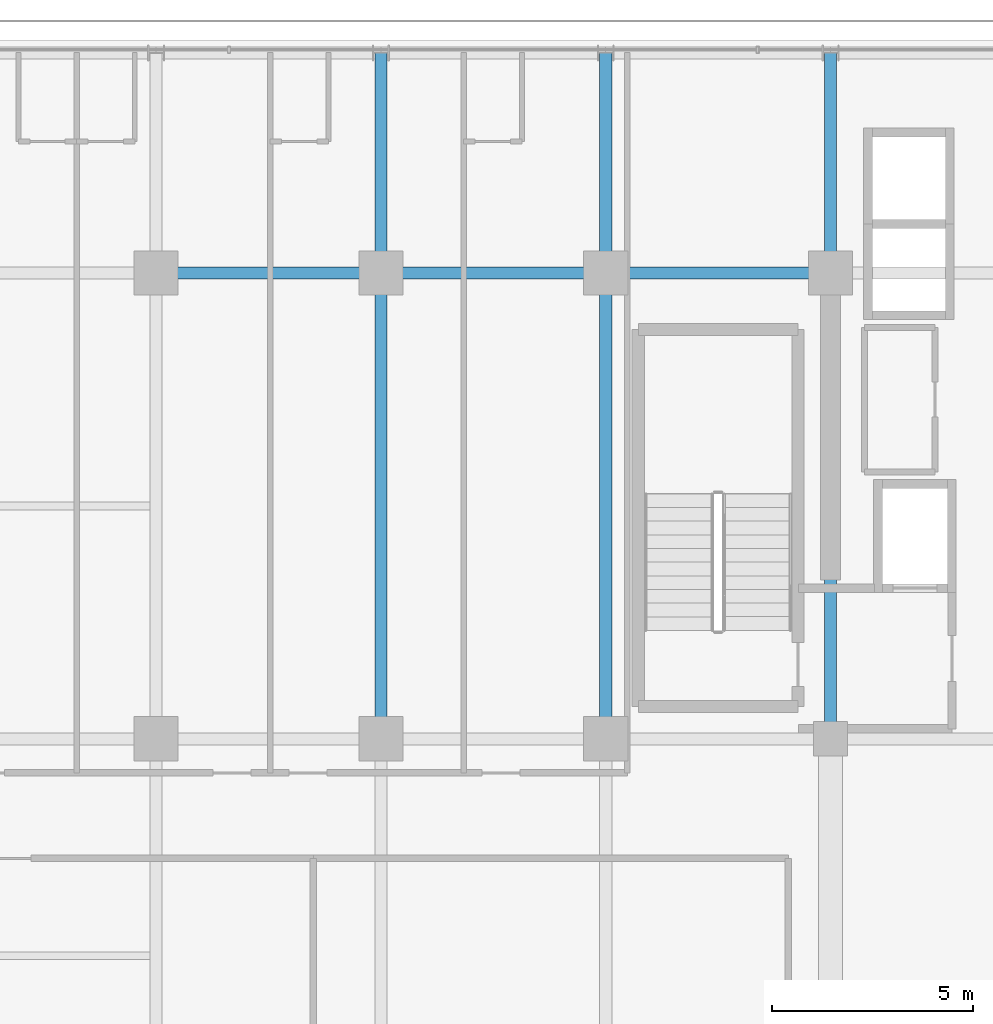
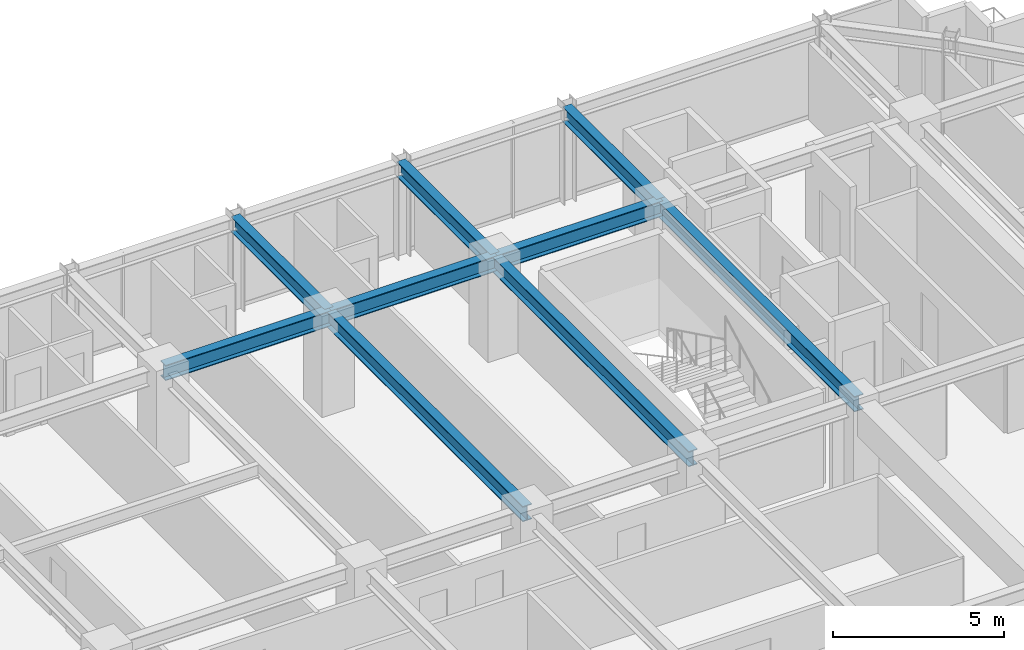
# One storey, part 16 of 33: 9 beams.
"""IFC4 building model written with IfcOpenShell, lengths in metres."""

import ifcopenshell
import ifcopenshell.guid

model = None  # the IFC model being written
_history = None  # IfcOwnerHistory: only IFC2X3 demands one
_inside = {}  # id of a spatial element -> (the spatial element, [elements in it])
_under = {}  # id of a project, library or spatial element -> (it, [spatial elements below it])
_declared = {}  # id of a project -> (the project, [libraries it declares])
_typed = {}  # id of a type object -> (the type object, [elements of that type])
_made_of = {}  # id of a material, layer set ... -> (it, [elements and type objects made of it])


def new_model(schema):
    """Start an empty IFC model of exactly this schema.

    Asked for "IFC4X3", IfcOpenShell would pick the latest addendum, in which some entities
    have other attributes; the version numbers below select the first issue.
    IFC2X3 requires an IfcOwnerHistory on every rooted entity: one is made here for all.
    """
    global model, _history
    if schema == "IFC4X3":
        model = ifcopenshell.file(schema_version=(4, 3, 0, 0))
    else:
        model = ifcopenshell.file(schema=schema)
    _inside.clear()
    _under.clear()
    _declared.clear()
    _typed.clear()
    _made_of.clear()
    _history = None
    if model.schema == "IFC2X3":
        org = make("IfcOrganization", Name="unknown")
        user = make(
            "IfcPersonAndOrganization",
            ThePerson=make("IfcPerson", FamilyName="unknown"),
            TheOrganization=org,
        )
        app = make(
            "IfcApplication",
            ApplicationDeveloper=org,
            Version="unknown",
            ApplicationFullName="unknown",
            ApplicationIdentifier="unknown",
        )
        _history = make(
            "IfcOwnerHistory",
            OwningUser=user,
            OwningApplication=app,
            ChangeAction="ADDED",
            CreationDate=0,
        )
    return model


def make(cls, **values):
    """One entity of the class cls with the attributes given. An attribute that is None is left unset."""
    return model.create_entity(
        cls, **{name: value for name, value in values.items() if value is not None}
    )


def rooted(cls, **values):
    """An entity with a GlobalId (a new one), such as an element, a storey or a relation."""
    return make(cls, GlobalId=ifcopenshell.guid.new(), OwnerHistory=_history, **values)


def si_unit(unit_type, name, prefix=None):
    """IfcSIUnit, for example si_unit("LENGTHUNIT", "METRE", prefix="MILLI")."""
    return make("IfcSIUnit", UnitType=unit_type, Prefix=prefix, Name=name)


def assignment(units):
    """IfcUnitAssignment: the units of a project."""
    return None if units is None else make("IfcUnitAssignment", Units=units)


def point(xyz):
    """IfcCartesianPoint."""
    return None if xyz is None else make("IfcCartesianPoint", Coordinates=xyz)


def direction(xyz):
    """IfcDirection."""
    return None if xyz is None else make("IfcDirection", DirectionRatios=xyz)


def frame(location, z_axis=None, x_axis=None):
    """IfcAxis2Placement3D, a coordinate frame: its origin and axes. An axis left out is left unset."""
    return make(
        "IfcAxis2Placement3D",
        Location=point(location),
        Axis=direction(z_axis),
        RefDirection=direction(x_axis),
    )


def frame_2d(location, x_axis=None):
    """IfcAxis2Placement2D, a coordinate frame in the plane: its origin and x axis."""
    return make(
        "IfcAxis2Placement2D", Location=point(location), RefDirection=direction(x_axis)
    )


def origin():
    """The frame at (0, 0, 0) with its axes left unset."""
    return frame((0.0, 0.0, 0.0))


def origin_2d():
    """The frame at (0, 0) in the plane with its x axis left unset."""
    return frame_2d((0.0, 0.0))


def place(relative_to, where):
    """IfcLocalPlacement: puts the frame where relative to a parent placement (None: the world)."""
    return make(
        "IfcLocalPlacement", PlacementRelTo=relative_to, RelativePlacement=where
    )


def context(
    kind, dimensions, precision=None, world=None, true_north=None, identifier=None
):
    """IfcGeometricRepresentationContext, for example the 3D "Model" context."""
    return make(
        "IfcGeometricRepresentationContext",
        ContextIdentifier=identifier,
        ContextType=kind,
        CoordinateSpaceDimension=dimensions,
        Precision=precision,
        WorldCoordinateSystem=world,
        TrueNorth=true_north,
    )


def subcontext(parent, identifier, kind, view, scale=None):
    """IfcGeometricRepresentationSubContext, for example "Body" below "Model"."""
    return make(
        "IfcGeometricRepresentationSubContext",
        ContextIdentifier=identifier,
        ContextType=kind,
        ParentContext=parent,
        TargetScale=scale,
        TargetView=view,
    )


def project(units=None, contexts=None):
    """IfcProject with its units and contexts."""
    return rooted(
        "IfcProject",
        Name="project",
        RepresentationContexts=contexts,
        UnitsInContext=assignment(units),
    )


def spatial(cls, under=None, at=None, **own):
    """A site, building, storey or space (cls), placed at a placement, below another one or the project."""
    s = rooted(cls, ObjectPlacement=at, **own)
    if under is not None:
        _under.setdefault(under.id(), (under, []))[1].append(s)
    return s


def profile(cls, at=None, kind="AREA", **sizes):
    """A parametric profile (cls). Its sizes go by their IFC names, for example OverallWidth=200.0."""
    return make(cls, ProfileType=kind, Position=at, **sizes)


def i_section(**sizes):
    """IfcIShapeProfileDef."""
    return profile("IfcIShapeProfileDef", **sizes)


def extrude(swept, where, along, depth):
    """IfcExtrudedAreaSolid: the profile swept, set in the frame where, extruded along a direction by depth."""
    return make(
        "IfcExtrudedAreaSolid",
        SweptArea=swept,
        Position=where,
        ExtrudedDirection=direction(along),
        Depth=depth,
    )


def shape(context_of_items, identifier, shape_type, items):
    """IfcShapeRepresentation: the items that make up one representation, for example the "Body"."""
    return make(
        "IfcShapeRepresentation",
        ContextOfItems=context_of_items,
        RepresentationIdentifier=identifier,
        RepresentationType=shape_type,
        Items=items,
    )


def source(mapping_origin, context_of_items, identifier, shape_type, items):
    """IfcRepresentationMap: a shape defined once, which mapped items show again and again."""
    return make(
        "IfcRepresentationMap",
        MappingOrigin=mapping_origin,
        MappedRepresentation=shape(context_of_items, identifier, shape_type, items),
    )


def transform(
    local_origin,
    x_axis=None,
    y_axis=None,
    z_axis=None,
    scale=None,
    scale2=None,
    scale3=None,
    uniform=True,
):
    """IfcCartesianTransformationOperator3D, or its non-uniform kind. x_axis, y_axis, z_axis: its Axis1, 2, 3."""
    if uniform:
        return make(
            "IfcCartesianTransformationOperator3D",
            Axis1=direction(x_axis),
            Axis2=direction(y_axis),
            LocalOrigin=point(local_origin),
            Scale=scale,
            Axis3=direction(z_axis),
        )
    return make(
        "IfcCartesianTransformationOperator3DnonUniform",
        Axis1=direction(x_axis),
        Axis2=direction(y_axis),
        LocalOrigin=point(local_origin),
        Scale=scale,
        Axis3=direction(z_axis),
        Scale2=scale2,
        Scale3=scale3,
    )


def mapped(mapping_source, mapping_target):
    """IfcMappedItem: shows the shape of a source again, moved by a transform."""
    return make(
        "IfcMappedItem", MappingSource=mapping_source, MappingTarget=mapping_target
    )


def material(Name=None, Category=None):
    """IfcMaterial."""
    return make("IfcMaterial", Name=Name, Category=Category)


def material_profile(
    of_material, cross_section, Name=None, Category=None, Priority=None
):
    """IfcMaterialProfile: a cross section and its material."""
    return make(
        "IfcMaterialProfile",
        Name=Name,
        Material=of_material,
        Profile=cross_section,
        Priority=Priority,
        Category=Category,
    )


def profile_set(profiles, Name=None, composite=None):
    """IfcMaterialProfileSet."""
    return make(
        "IfcMaterialProfileSet",
        Name=Name,
        MaterialProfiles=profiles,
        CompositeProfile=composite,
    )


def made_of(thing, what):
    """Note that an element or type object is made of a material, layer set ...; save() writes the relation."""
    if what is not None:
        _made_of.setdefault(what.id(), (what, []))[1].append(thing)
    return thing


def type_object(cls, material=None, **own):
    """A type object (cls), such as IfcWallType, which elements share."""
    return made_of(rooted(cls, **own), material)


def element(
    cls,
    number,
    at=None,
    inside=None,
    cuts=None,
    type_object=None,
    material=None,
    context=None,
    identifier="Body",
    shape_type=None,
    held_by="IfcProductDefinitionShape",
    body=None,
    shapes=None,
    **own,
):
    """One element of the class cls, such as IfcWall. Its Tag is "e" and its number.

    at: its placement. inside: the storey or other place that contains it. cuts: it is an
    opening in that element (IfcRelVoidsElement). A single representation is given by context,
    identifier, shape_type and body (its items); several are given by shapes. held_by: the class
    of the entity that holds the representations. save() writes the other relations.
    """
    e = rooted(cls, Tag="e%d" % number, ObjectPlacement=at, **own)
    if body is not None:
        shapes = [shape(context, identifier, shape_type, body)]
    if shapes is not None:
        e.Representation = make(held_by, Representations=shapes)
    if inside is not None:
        _inside.setdefault(inside.id(), (inside, []))[1].append(e)
    if cuts is not None:
        rooted(
            "IfcRelVoidsElement", RelatingBuildingElement=cuts, RelatedOpeningElement=e
        )
    if type_object is not None:
        _typed.setdefault(type_object.id(), (type_object, []))[1].append(e)
    return made_of(e, material)


def aggregate(whole, parts):
    """IfcRelAggregates: a whole, such as a stair, and the parts it consists of."""
    return rooted("IfcRelAggregates", RelatingObject=whole, RelatedObjects=parts)


def save(model, path):
    """Write the relations noted so far, then the file.

    IfcRelAggregates (storeys below a building ...), IfcRelContainedInSpatialStructure (elements
    in a storey), IfcRelDefinesByType, IfcRelAssociatesMaterial and IfcRelDeclares: one each for
    every whole, place, type object, material and project.
    """
    for whole, parts in _under.values():
        aggregate(whole, parts)
    for where, things in _inside.values():
        rooted(
            "IfcRelContainedInSpatialStructure",
            RelatedElements=things,
            RelatingStructure=where,
        )
    for kind, things in _typed.values():
        rooted("IfcRelDefinesByType", RelatedObjects=things, RelatingType=kind)
    for what, things in _made_of.values():
        rooted("IfcRelAssociatesMaterial", RelatedObjects=things, RelatingMaterial=what)
    for by, libraries in _declared.values():
        rooted("IfcRelDeclares", RelatingContext=by, RelatedDefinitions=libraries)
    model.write(path)


model = new_model("IFC4")

# Units and contexts
model_context = context("Model", 3, precision=1e-05, world=origin(), true_north=direction((0.0, 1.0)))
body_context = subcontext(model_context, "Body", "Model", "MODEL_VIEW")
ifc_project = project(units=[si_unit("LENGTHUNIT", "METRE"), si_unit("AREAUNIT", "SQUARE_METRE"), si_unit("VOLUMEUNIT", "CUBIC_METRE"), si_unit("PLANEANGLEUNIT", "RADIAN"), si_unit("MASSUNIT", "GRAM", prefix="KILO")], contexts=[model_context])

# Site, building, storey
site_placement = place(None, origin())
site = spatial("IfcSite", under=ifc_project, at=site_placement, CompositionType="ELEMENT")
building_placement = place(site_placement, origin())
building = spatial("IfcBuilding", under=site, at=building_placement, Name="Nahalor Promenade Grand Hotel", CompositionType="ELEMENT")
storey_placement = place(building_placement, frame((0.0, 0.0, 149.0)))
storey = spatial("IfcBuildingStorey", under=building, at=storey_placement, Name="L37", CompositionType="ELEMENT", Elevation=149.0)

# Beams
ifc_material = material(Name="Steel S355JR", Category="steel")
ifc_material_profile = material_profile(ifc_material, i_section(OverallWidth=0.3, OverallDepth=0.55, WebThickness=0.015, FlangeThickness=0.029, at=origin_2d()), Name="HEB 550")
ifc_profile_set = profile_set([ifc_material_profile], Name="Steel S355JR")
beam_type = type_object("IfcBeamType", Name="Beam-Girder-HEB550", PredefinedType="BEAM", material=ifc_profile_set)
shared_shape_1 = source(origin(), body_context, "Body", "SweptSolid", [
    extrude(i_section(OverallWidth=0.3, OverallDepth=0.55, WebThickness=0.015, FlangeThickness=0.029, at=origin_2d()), origin(), (0.0, 0.0, 1.0), 5.599853515625),
])
for number, where, z_axis, x_axis, name in (
    (1, (-8.39990234375, 17.0, 3.114990234375), (1.0, 0.0, 0.0), (0.0, 1.0, 0.0), "BM-L37-GX-3-2"),
    (2, (2.800048828125, 17.0, 3.114990234375), (1.0, 0.0, 0.0), (0.0, 1.0, 0.0), "BM-L37-GX-3-4"),
):
    element("IfcBeam", number, at=place(storey_placement, frame(where, z_axis=z_axis, x_axis=x_axis)), inside=storey, type_object=beam_type, Name=name, PredefinedType="BEAM", context=body_context, shape_type="MappedRepresentation", body=[
        mapped(shared_shape_1, transform((0.0, 0.0, 0.0), scale=1.0)),
    ])
shared_shape_2 = source(origin(), body_context, "Body", "SweptSolid", [
    extrude(i_section(OverallWidth=0.3, OverallDepth=0.55, WebThickness=0.015, FlangeThickness=0.029, at=origin_2d()), origin(), (0.0, 0.0, 1.0), 5.60009765625),
])
beam_placement = place(storey_placement, frame((-2.800048828125, 17.0, 3.114990234375), z_axis=(1.0, 0.0, 0.0), x_axis=(0.0, 1.0, 0.0)))
element("IfcBeam", 3, at=beam_placement, inside=storey, type_object=beam_type, Name="BM-L37-GX-3-3", PredefinedType="BEAM", context=body_context, shape_type="MappedRepresentation", body=[
    mapped(shared_shape_2, transform((0.0, 0.0, 0.0), scale=1.0)),
])
shared_shape_3 = source(origin(), body_context, "Body", "SweptSolid", [
    extrude(i_section(OverallWidth=0.3, OverallDepth=0.55, WebThickness=0.015, FlangeThickness=0.029, at=origin_2d()), origin(), (0.0, 0.0, 1.0), 11.60009765625),
])
for number, where, z_axis, x_axis, name in (
    (4, (-2.800048828125, 5.39990234375, 3.114990234375), (0.0, 1.0, 0.0), (-1.0, 0.0, 0.0), "BM-L37-GY-2-3"),
    (5, (2.800048828125, 5.39990234375, 3.114990234375), (0.0, 1.0, 0.0), (-1.0, 0.0, 0.0), "BM-L37-GY-3-3"),
    (6, (8.39990234375, 5.39990234375, 3.114990234375), (0.0, 1.0, 0.0), (-1.0, 0.0, 0.0), "BM-L37-GY-4-3"),
):
    element("IfcBeam", number, at=place(storey_placement, frame(where, z_axis=z_axis, x_axis=x_axis)), inside=storey, type_object=beam_type, Name=name, PredefinedType="BEAM", context=body_context, shape_type="MappedRepresentation", body=[
        mapped(shared_shape_3, transform((0.0, 0.0, 0.0), scale=1.0)),
    ])
shared_shape_4 = source(origin(), body_context, "Body", "SweptSolid", [
    extrude(i_section(OverallWidth=0.3, OverallDepth=0.55, WebThickness=0.015, FlangeThickness=0.029, at=origin_2d()), origin(), (0.0, 0.0, 1.0), 5.47998046875),
])
for number, where, z_axis, x_axis, name in (
    (7, (-2.800048828125, 17.0, 3.114990234375), (0.0, 1.0, 0.0), (-1.0, 0.0, 0.0), "BM-L37-GY-2-4"),
    (8, (2.800048828125, 17.0, 3.114990234375), (0.0, 1.0, 0.0), (-1.0, 0.0, 0.0), "BM-L37-GY-3-4"),
    (9, (8.39990234375, 17.0, 3.114990234375), (0.0, 1.0, 0.0), (-1.0, 0.0, 0.0), "BM-L37-GY-4-4"),
):
    element("IfcBeam", number, at=place(storey_placement, frame(where, z_axis=z_axis, x_axis=x_axis)), inside=storey, type_object=beam_type, Name=name, PredefinedType="BEAM", context=body_context, shape_type="MappedRepresentation", body=[
        mapped(shared_shape_4, transform((0.0, 0.0, 0.0), scale=1.0)),
    ])

save(model, "model.ifc")
